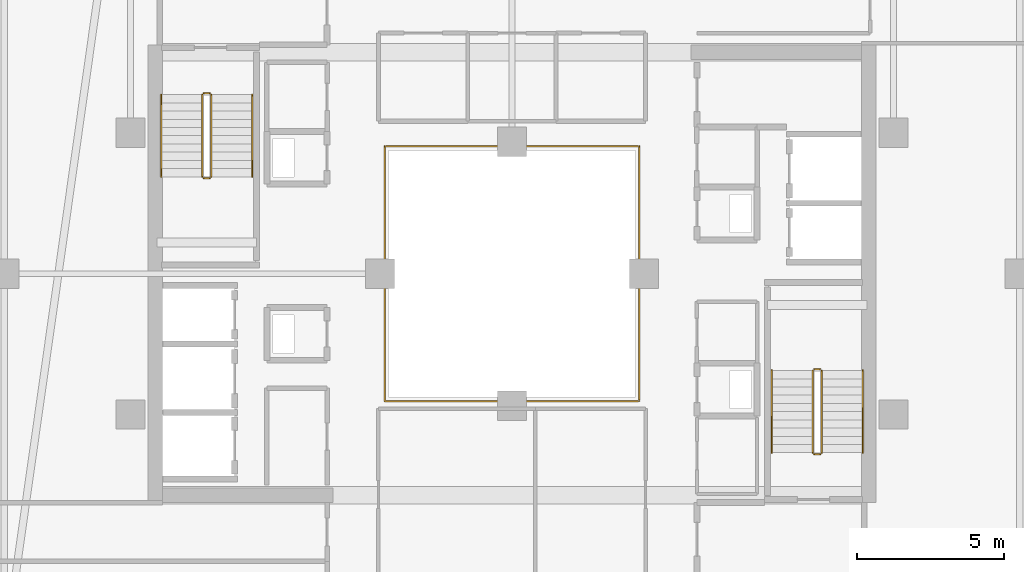
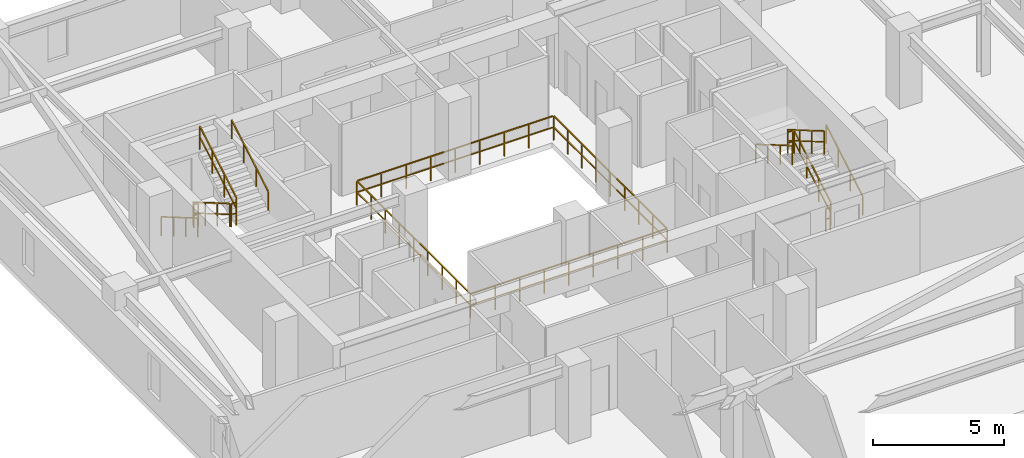
# One storey, part 31 of 32: 13 railings.
"""IFC4 building model written with IfcOpenShell, lengths in metres."""

from ifc_helpers import new_model, si_unit, direction, frame, origin, origin_2d, place, context, subcontext, project, spatial, rectangle, extrude, material, type_object, element, save


model = new_model("IFC4")

# Units and contexts
model_context = context("Model", 3, precision=1e-05, world=origin(), true_north=direction((0.0, 1.0)))
body_context = subcontext(model_context, "Body", "Model", "MODEL_VIEW")
ifc_project = project(units=[si_unit("LENGTHUNIT", "METRE"), si_unit("AREAUNIT", "SQUARE_METRE"), si_unit("VOLUMEUNIT", "CUBIC_METRE"), si_unit("PLANEANGLEUNIT", "RADIAN"), si_unit("MASSUNIT", "GRAM", prefix="KILO")], contexts=[model_context])

# Site, building, storey
site_placement = place(None, origin())
site = spatial("IfcSite", under=ifc_project, at=site_placement, CompositionType="ELEMENT")
building_placement = place(site_placement, origin())
building = spatial("IfcBuilding", under=site, at=building_placement, Name="Thornwick Lancets Civic Towers", CompositionType="ELEMENT")
storey_placement = place(building_placement, frame((0.0, 0.0, 247.5)))
storey = spatial("IfcBuildingStorey", under=building, at=storey_placement, Name="L66", CompositionType="ELEMENT", Elevation=247.5)

# Railings
ifc_material_1 = material(Name="Laminated glass and bronze steel S355", Category="steel")
railing_type_1 = type_object("IfcRailingType", Name="RAIL_ATRIUM_GUARD", PredefinedType="BALUSTRADE", material=ifc_material_1)
railing_1_placement = place(storey_placement, frame((84.159912109375, 22.659912109375, 0.0)))
element("IfcRailing", 1, at=railing_1_placement, inside=storey, type_object=railing_type_1, Name="L66 Tower B Central Atrium Guard Balustrade", PredefinedType="BALUSTRADE", context=body_context, shape_type="SweptSolid", body=[
    extrude(rectangle(XDim=0.048095703125, YDim=0.048095703125, at=origin_2d()), frame((0.0, 0.0, 1.1259765625), z_axis=(1.0, 0.0, 0.0), x_axis=(0.0, 1.0, 0.0)), (0.0, 0.0, 1.0), 8.64892578125),
    extrude(rectangle(XDim=0.0419921875, YDim=0.0419921875, at=origin_2d()), frame((0.03759765625, 0.0, 0.597900390625), z_axis=(1.0, 0.0, 0.0), x_axis=(0.0, 1.0, 0.0)), (0.0, 0.0, 1.0), 1.010009765625),
    extrude(rectangle(XDim=0.0419921875, YDim=0.0419921875, at=origin_2d()), frame((1.12255859375, 0.0, 0.597900390625), z_axis=(1.0, 0.0, 0.0), x_axis=(0.0, 1.0, 0.0)), (0.0, 0.0, 1.0), 1.010009765625),
    extrude(rectangle(XDim=0.0419921875, YDim=0.0419921875, at=origin_2d()), frame((2.20751953125, 0.0, 0.597900390625), z_axis=(1.0, 0.0, 0.0), x_axis=(0.0, 1.0, 0.0)), (0.0, 0.0, 1.0), 1.010009765625),
    extrude(rectangle(XDim=0.0419921875, YDim=0.0419921875, at=origin_2d()), frame((3.29248046875, 0.0, 0.597900390625), z_axis=(1.0, 0.0, 0.0), x_axis=(0.0, 1.0, 0.0)), (0.0, 0.0, 1.0), 1.010009765625),
    extrude(rectangle(XDim=0.0419921875, YDim=0.0419921875, at=origin_2d()), frame((4.377685546875, 0.0, 0.597900390625), z_axis=(1.0, 0.0, 0.0), x_axis=(0.0, 1.0, 0.0)), (0.0, 0.0, 1.0), 1.010009765625),
    extrude(rectangle(XDim=0.0419921875, YDim=0.0419921875, at=origin_2d()), frame((5.462646484375, 0.0, 0.597900390625), z_axis=(1.0, 0.0, 0.0), x_axis=(0.0, 1.0, 0.0)), (0.0, 0.0, 1.0), 1.010009765625),
    extrude(rectangle(XDim=0.0419921875, YDim=0.0419921875, at=origin_2d()), frame((6.547607421875, 0.0, 0.597900390625), z_axis=(1.0, 0.0, 0.0), x_axis=(0.0, 1.0, 0.0)), (0.0, 0.0, 1.0), 1.010009765625),
    extrude(rectangle(XDim=0.0419921875, YDim=0.0419921875, at=origin_2d()), frame((7.632568359375, 0.0, 0.597900390625), z_axis=(1.0, 0.0, 0.0), x_axis=(0.0, 1.0, 0.0)), (0.0, 0.0, 1.0), 1.010009765625),
    extrude(rectangle(XDim=0.048095703125, YDim=0.048095703125, at=origin_2d()), frame((8.68017578125, 0.03125, 1.1259765625), z_axis=(0.0, 1.0, 0.0), x_axis=(-1.0, 0.0, 0.0)), (0.0, 0.0, 1.0), 8.61767578125),
    extrude(rectangle(XDim=0.0419921875, YDim=0.0419921875, at=origin_2d()), frame((8.68017578125, 0.03759765625, 0.597900390625), z_axis=(0.0, 1.0, 0.0), x_axis=(-1.0, 0.0, 0.0)), (0.0, 0.0, 1.0), 1.010009765625),
    extrude(rectangle(XDim=0.0419921875, YDim=0.0419921875, at=origin_2d()), frame((8.68017578125, 1.12255859375, 0.597900390625), z_axis=(0.0, 1.0, 0.0), x_axis=(-1.0, 0.0, 0.0)), (0.0, 0.0, 1.0), 1.010009765625),
    extrude(rectangle(XDim=0.0419921875, YDim=0.0419921875, at=origin_2d()), frame((8.68017578125, 2.20751953125, 0.597900390625), z_axis=(0.0, 1.0, 0.0), x_axis=(-1.0, 0.0, 0.0)), (0.0, 0.0, 1.0), 1.010009765625),
    extrude(rectangle(XDim=0.0419921875, YDim=0.0419921875, at=origin_2d()), frame((8.68017578125, 3.29248046875, 0.597900390625), z_axis=(0.0, 1.0, 0.0), x_axis=(-1.0, 0.0, 0.0)), (0.0, 0.0, 1.0), 1.010009765625),
    extrude(rectangle(XDim=0.0419921875, YDim=0.0419921875, at=origin_2d()), frame((8.68017578125, 4.377685546875, 0.597900390625), z_axis=(0.0, 1.0, 0.0), x_axis=(-1.0, 0.0, 0.0)), (0.0, 0.0, 1.0), 1.010009765625),
    extrude(rectangle(XDim=0.0419921875, YDim=0.0419921875, at=origin_2d()), frame((8.68017578125, 5.462646484375, 0.597900390625), z_axis=(0.0, 1.0, 0.0), x_axis=(-1.0, 0.0, 0.0)), (0.0, 0.0, 1.0), 1.010009765625),
    extrude(rectangle(XDim=0.0419921875, YDim=0.0419921875, at=origin_2d()), frame((8.68017578125, 6.547607421875, 0.597900390625), z_axis=(0.0, 1.0, 0.0), x_axis=(-1.0, 0.0, 0.0)), (0.0, 0.0, 1.0), 1.010009765625),
    extrude(rectangle(XDim=0.0419921875, YDim=0.0419921875, at=origin_2d()), frame((8.68017578125, 7.632568359375, 0.597900390625), z_axis=(0.0, 1.0, 0.0), x_axis=(-1.0, 0.0, 0.0)), (0.0, 0.0, 1.0), 1.010009765625),
    extrude(rectangle(XDim=0.048095703125, YDim=0.048095703125, at=origin_2d()), frame((8.64892578125, 8.68017578125, 1.1259765625), z_axis=(-1.0, 0.0, 0.0), x_axis=(0.0, -1.0, 0.0)), (0.0, 0.0, 1.0), 8.61767578125),
    extrude(rectangle(XDim=0.0419921875, YDim=0.0419921875, at=origin_2d()), frame((8.642578125, 8.68017578125, 0.597900390625), z_axis=(-1.0, 0.0, 0.0), x_axis=(0.0, -1.0, 0.0)), (0.0, 0.0, 1.0), 1.010009765625),
    extrude(rectangle(XDim=0.0419921875, YDim=0.0419921875, at=origin_2d()), frame((7.5576171875, 8.68017578125, 0.597900390625), z_axis=(-1.0, 0.0, 0.0), x_axis=(0.0, -1.0, 0.0)), (0.0, 0.0, 1.0), 1.010009765625),
    extrude(rectangle(XDim=0.0419921875, YDim=0.0419921875, at=origin_2d()), frame((6.47265625, 8.68017578125, 0.597900390625), z_axis=(-1.0, 0.0, 0.0), x_axis=(0.0, -1.0, 0.0)), (0.0, 0.0, 1.0), 1.010009765625),
    extrude(rectangle(XDim=0.0419921875, YDim=0.0419921875, at=origin_2d()), frame((5.3876953125, 8.68017578125, 0.597900390625), z_axis=(-1.0, 0.0, 0.0), x_axis=(0.0, -1.0, 0.0)), (0.0, 0.0, 1.0), 1.010009765625),
    extrude(rectangle(XDim=0.0419921875, YDim=0.0419921875, at=origin_2d()), frame((4.302490234375, 8.68017578125, 0.597900390625), z_axis=(-1.0, 0.0, 0.0), x_axis=(0.0, -1.0, 0.0)), (0.0, 0.0, 1.0), 1.010009765625),
    extrude(rectangle(XDim=0.0419921875, YDim=0.0419921875, at=origin_2d()), frame((3.217529296875, 8.68017578125, 0.597900390625), z_axis=(-1.0, 0.0, 0.0), x_axis=(0.0, -1.0, 0.0)), (0.0, 0.0, 1.0), 1.010009765625),
    extrude(rectangle(XDim=0.0419921875, YDim=0.0419921875, at=origin_2d()), frame((2.132568359375, 8.68017578125, 0.597900390625), z_axis=(-1.0, 0.0, 0.0), x_axis=(0.0, -1.0, 0.0)), (0.0, 0.0, 1.0), 1.010009765625),
    extrude(rectangle(XDim=0.0419921875, YDim=0.0419921875, at=origin_2d()), frame((1.047607421875, 8.68017578125, 0.597900390625), z_axis=(-1.0, 0.0, 0.0), x_axis=(0.0, -1.0, 0.0)), (0.0, 0.0, 1.0), 1.010009765625),
    extrude(rectangle(XDim=0.048095703125, YDim=0.048095703125, at=origin_2d()), frame((0.0, 8.64892578125, 1.1259765625), z_axis=(0.0, -1.0, 0.0), x_axis=(1.0, 0.0, 0.0)), (0.0, 0.0, 1.0), 8.64892578125),
    extrude(rectangle(XDim=0.0419921875, YDim=0.0419921875, at=origin_2d()), frame((0.0, 8.642578125, 0.597900390625), z_axis=(0.0, -1.0, 0.0), x_axis=(1.0, 0.0, 0.0)), (0.0, 0.0, 1.0), 1.010009765625),
    extrude(rectangle(XDim=0.0419921875, YDim=0.0419921875, at=origin_2d()), frame((0.0, 7.5576171875, 0.597900390625), z_axis=(0.0, -1.0, 0.0), x_axis=(1.0, 0.0, 0.0)), (0.0, 0.0, 1.0), 1.010009765625),
    extrude(rectangle(XDim=0.0419921875, YDim=0.0419921875, at=origin_2d()), frame((0.0, 6.47265625, 0.597900390625), z_axis=(0.0, -1.0, 0.0), x_axis=(1.0, 0.0, 0.0)), (0.0, 0.0, 1.0), 1.010009765625),
    extrude(rectangle(XDim=0.0419921875, YDim=0.0419921875, at=origin_2d()), frame((0.0, 5.3876953125, 0.597900390625), z_axis=(0.0, -1.0, 0.0), x_axis=(1.0, 0.0, 0.0)), (0.0, 0.0, 1.0), 1.010009765625),
    extrude(rectangle(XDim=0.0419921875, YDim=0.0419921875, at=origin_2d()), frame((0.0, 4.302490234375, 0.597900390625), z_axis=(0.0, -1.0, 0.0), x_axis=(1.0, 0.0, 0.0)), (0.0, 0.0, 1.0), 1.010009765625),
    extrude(rectangle(XDim=0.0419921875, YDim=0.0419921875, at=origin_2d()), frame((0.0, 3.217529296875, 0.597900390625), z_axis=(0.0, -1.0, 0.0), x_axis=(1.0, 0.0, 0.0)), (0.0, 0.0, 1.0), 1.010009765625),
    extrude(rectangle(XDim=0.0419921875, YDim=0.0419921875, at=origin_2d()), frame((0.0, 2.132568359375, 0.597900390625), z_axis=(0.0, -1.0, 0.0), x_axis=(1.0, 0.0, 0.0)), (0.0, 0.0, 1.0), 1.010009765625),
    extrude(rectangle(XDim=0.0419921875, YDim=0.0419921875, at=origin_2d()), frame((0.0, 1.047607421875, 0.597900390625), z_axis=(0.0, -1.0, 0.0), x_axis=(1.0, 0.0, 0.0)), (0.0, 0.0, 1.0), 1.010009765625),
    extrude(rectangle(XDim=0.0419921875, YDim=0.0419921875, at=origin_2d()), origin(), (0.0, 0.0, 1.0), 1.095703125),
    extrude(rectangle(XDim=0.0419921875, YDim=0.0419921875, at=origin_2d()), frame((1.0849609375, 0.0, 0.0)), (0.0, 0.0, 1.0), 1.095703125),
    extrude(rectangle(XDim=0.0419921875, YDim=0.0419921875, at=origin_2d()), frame((2.169921875, 0.0, 0.0)), (0.0, 0.0, 1.0), 1.095703125),
    extrude(rectangle(XDim=0.0419921875, YDim=0.0419921875, at=origin_2d()), frame((3.255126953125, 0.0, 0.0)), (0.0, 0.0, 1.0), 1.095703125),
    extrude(rectangle(XDim=0.0419921875, YDim=0.0419921875, at=origin_2d()), frame((4.340087890625, 0.0, 0.0)), (0.0, 0.0, 1.0), 1.095703125),
    extrude(rectangle(XDim=0.0419921875, YDim=0.0419921875, at=origin_2d()), frame((5.425048828125, 0.0, 0.0)), (0.0, 0.0, 1.0), 1.095703125),
    extrude(rectangle(XDim=0.0419921875, YDim=0.0419921875, at=origin_2d()), frame((6.51025390625, 0.0, 0.0)), (0.0, 0.0, 1.0), 1.095703125),
    extrude(rectangle(XDim=0.0419921875, YDim=0.0419921875, at=origin_2d()), frame((7.59521484375, 0.0, 0.0)), (0.0, 0.0, 1.0), 1.095703125),
    extrude(rectangle(XDim=0.0419921875, YDim=0.0419921875, at=origin_2d()), frame((8.68017578125, 0.0, 0.0)), (0.0, 0.0, 1.0), 1.095703125),
    extrude(rectangle(XDim=0.0419921875, YDim=0.0419921875, at=origin_2d()), frame((8.68017578125, 1.0849609375, 0.0)), (0.0, 0.0, 1.0), 1.095703125),
    extrude(rectangle(XDim=0.0419921875, YDim=0.0419921875, at=origin_2d()), frame((8.68017578125, 2.169921875, 0.0)), (0.0, 0.0, 1.0), 1.095703125),
    extrude(rectangle(XDim=0.0419921875, YDim=0.0419921875, at=origin_2d()), frame((8.68017578125, 3.255126953125, 0.0)), (0.0, 0.0, 1.0), 1.095703125),
    extrude(rectangle(XDim=0.0419921875, YDim=0.0419921875, at=origin_2d()), frame((8.68017578125, 4.340087890625, 0.0)), (0.0, 0.0, 1.0), 1.095703125),
    extrude(rectangle(XDim=0.0419921875, YDim=0.0419921875, at=origin_2d()), frame((8.68017578125, 5.425048828125, 0.0)), (0.0, 0.0, 1.0), 1.095703125),
    extrude(rectangle(XDim=0.0419921875, YDim=0.0419921875, at=origin_2d()), frame((8.68017578125, 6.51025390625, 0.0)), (0.0, 0.0, 1.0), 1.095703125),
    extrude(rectangle(XDim=0.0419921875, YDim=0.0419921875, at=origin_2d()), frame((8.68017578125, 7.59521484375, 0.0)), (0.0, 0.0, 1.0), 1.095703125),
    extrude(rectangle(XDim=0.0419921875, YDim=0.0419921875, at=origin_2d()), frame((8.68017578125, 8.68017578125, 0.0)), (0.0, 0.0, 1.0), 1.095703125),
    extrude(rectangle(XDim=0.0419921875, YDim=0.0419921875, at=origin_2d()), frame((7.59521484375, 8.68017578125, 0.0)), (0.0, 0.0, 1.0), 1.095703125),
    extrude(rectangle(XDim=0.0419921875, YDim=0.0419921875, at=origin_2d()), frame((6.51025390625, 8.68017578125, 0.0)), (0.0, 0.0, 1.0), 1.095703125),
    extrude(rectangle(XDim=0.0419921875, YDim=0.0419921875, at=origin_2d()), frame((5.425048828125, 8.68017578125, 0.0)), (0.0, 0.0, 1.0), 1.095703125),
    extrude(rectangle(XDim=0.0419921875, YDim=0.0419921875, at=origin_2d()), frame((4.340087890625, 8.68017578125, 0.0)), (0.0, 0.0, 1.0), 1.095703125),
    extrude(rectangle(XDim=0.0419921875, YDim=0.0419921875, at=origin_2d()), frame((3.255126953125, 8.68017578125, 0.0)), (0.0, 0.0, 1.0), 1.095703125),
    extrude(rectangle(XDim=0.0419921875, YDim=0.0419921875, at=origin_2d()), frame((2.169921875, 8.68017578125, 0.0)), (0.0, 0.0, 1.0), 1.095703125),
    extrude(rectangle(XDim=0.0419921875, YDim=0.0419921875, at=origin_2d()), frame((1.0849609375, 8.68017578125, 0.0)), (0.0, 0.0, 1.0), 1.095703125),
    extrude(rectangle(XDim=0.0419921875, YDim=0.0419921875, at=origin_2d()), frame((0.0, 8.68017578125, 0.0)), (0.0, 0.0, 1.0), 1.095703125),
    extrude(rectangle(XDim=0.0419921875, YDim=0.0419921875, at=origin_2d()), frame((0.0, 7.59521484375, 0.0)), (0.0, 0.0, 1.0), 1.095703125),
    extrude(rectangle(XDim=0.0419921875, YDim=0.0419921875, at=origin_2d()), frame((0.0, 6.51025390625, 0.0)), (0.0, 0.0, 1.0), 1.095703125),
    extrude(rectangle(XDim=0.0419921875, YDim=0.0419921875, at=origin_2d()), frame((0.0, 5.425048828125, 0.0)), (0.0, 0.0, 1.0), 1.095703125),
    extrude(rectangle(XDim=0.0419921875, YDim=0.0419921875, at=origin_2d()), frame((0.0, 4.340087890625, 0.0)), (0.0, 0.0, 1.0), 1.095703125),
    extrude(rectangle(XDim=0.0419921875, YDim=0.0419921875, at=origin_2d()), frame((0.0, 3.255126953125, 0.0)), (0.0, 0.0, 1.0), 1.095703125),
    extrude(rectangle(XDim=0.0419921875, YDim=0.0419921875, at=origin_2d()), frame((0.0, 2.169921875, 0.0)), (0.0, 0.0, 1.0), 1.095703125),
    extrude(rectangle(XDim=0.0419921875, YDim=0.0419921875, at=origin_2d()), frame((0.0, 1.0849609375, 0.0)), (0.0, 0.0, 1.0), 1.095703125),
])
ifc_material_2 = material(Name="Brushed stainless steel S355", Category="steel")
railing_type_2 = type_object("IfcRailingType", Name="RAIL_HANDRAIL", PredefinedType="HANDRAIL", material=ifc_material_2)
railing_2_placement = place(storey_placement, frame((100.449951171875, 20.89990234375, 0.16357421875)))
element("IfcRailing", 2, at=railing_2_placement, inside=storey, type_object=railing_type_2, Name="L66 ST-B1 stair handrail 1", PredefinedType="HANDRAIL", context=body_context, shape_type="SweptSolid", body=[
    extrude(rectangle(XDim=0.048095703125, YDim=0.048095703125, at=origin_2d()), frame((0.0, 0.0, 0.8857421875), z_axis=(0.0, 0.863360870873, 0.504586966384), x_axis=(-1.0, 0.0, 0.0)), (0.0, 0.0, 1.0), 3.2431640625),
    extrude(rectangle(XDim=0.0419921875, YDim=0.0419921875, at=origin_2d()), origin(), (0.0, 0.0, 1.0), 0.855712890625),
    extrude(rectangle(XDim=0.0419921875, YDim=0.0419921875, at=origin_2d()), frame((0.0, 0.933349609375, 0.54541015625)), (0.0, 0.0, 1.0), 0.855712890625),
    extrude(rectangle(XDim=0.0419921875, YDim=0.0419921875, at=origin_2d()), frame((0.0, 1.86669921875, 1.091064453125)), (0.0, 0.0, 1.0), 0.855712890625),
    extrude(rectangle(XDim=0.0419921875, YDim=0.0419921875, at=origin_2d()), frame((0.0, 2.800048828125, 1.636474609375)), (0.0, 0.0, 1.0), 0.855712890625),
])
for number, where, name in (
    (3, (97.35009765625, 23.699951171875, 1.963623046875), "L66 ST-B1 stair handrail 2"),
    (4, (76.550048828125, 33.10009765625, 0.16357421875), "L66 ST-B2 stair handrail 1"),
):
    element("IfcRailing", number, at=place(storey_placement, frame(where)), inside=storey, type_object=railing_type_2, Name=name, PredefinedType="HANDRAIL", context=body_context, shape_type="SweptSolid", body=[
        extrude(rectangle(XDim=0.048095703125, YDim=0.048095703125, at=origin_2d()), frame((0.0, 0.0, 0.8857421875), z_axis=(0.0, -0.863360870873, 0.504586966384), x_axis=(1.0, 0.0, 0.0)), (0.0, 0.0, 1.0), 3.2431640625),
        extrude(rectangle(XDim=0.0419921875, YDim=0.0419921875, at=origin_2d()), origin(), (0.0, 0.0, 1.0), 0.855712890625),
        extrude(rectangle(XDim=0.0419921875, YDim=0.0419921875, at=origin_2d()), frame((0.0, -0.933349609375, 0.54541015625)), (0.0, 0.0, 1.0), 0.855712890625),
        extrude(rectangle(XDim=0.0419921875, YDim=0.0419921875, at=origin_2d()), frame((0.0, -1.86669921875, 1.091064453125)), (0.0, 0.0, 1.0), 0.855712890625),
        extrude(rectangle(XDim=0.0419921875, YDim=0.0419921875, at=origin_2d()), frame((0.0, -2.800048828125, 1.636474609375)), (0.0, 0.0, 1.0), 0.855712890625),
    ])
railing_3_placement = place(storey_placement, frame((79.64990234375, 30.300048828125, 1.963623046875)))
element("IfcRailing", 5, at=railing_3_placement, inside=storey, type_object=railing_type_2, Name="L66 ST-B2 stair handrail 2", PredefinedType="HANDRAIL", context=body_context, shape_type="SweptSolid", body=[
    extrude(rectangle(XDim=0.048095703125, YDim=0.048095703125, at=origin_2d()), frame((0.0, 0.0, 0.8857421875), z_axis=(0.0, 0.863360870873, 0.504586966384), x_axis=(-1.0, 0.0, 0.0)), (0.0, 0.0, 1.0), 3.2431640625),
    extrude(rectangle(XDim=0.0419921875, YDim=0.0419921875, at=origin_2d()), origin(), (0.0, 0.0, 1.0), 0.855712890625),
    extrude(rectangle(XDim=0.0419921875, YDim=0.0419921875, at=origin_2d()), frame((0.0, 0.933349609375, 0.54541015625)), (0.0, 0.0, 1.0), 0.855712890625),
    extrude(rectangle(XDim=0.0419921875, YDim=0.0419921875, at=origin_2d()), frame((0.0, 1.86669921875, 1.091064453125)), (0.0, 0.0, 1.0), 0.855712890625),
    extrude(rectangle(XDim=0.0419921875, YDim=0.0419921875, at=origin_2d()), frame((0.0, 2.800048828125, 1.636474609375)), (0.0, 0.0, 1.0), 0.855712890625),
])
ifc_material_3 = material(Name="Steel S355JR", Category="steel")
railing_type_3 = type_object("IfcRailingType", Name="RAIL_STAIR_GUARD", PredefinedType="GUARDRAIL", material=ifc_material_3)
railing_4_placement = place(storey_placement, frame((99.050048828125, 20.89990234375, 0.16357421875)))
element("IfcRailing", 6, at=railing_4_placement, inside=storey, type_object=railing_type_3, Name="L66 ST-B1 stair guard 1", PredefinedType="GUARDRAIL", context=body_context, shape_type="SweptSolid", body=[
    extrude(rectangle(XDim=0.048095703125, YDim=0.048095703125, at=origin_2d()), frame((0.0, 0.0, 1.076171875), z_axis=(0.0, 0.863360870873, 0.504586966384), x_axis=(-1.0, 0.0, 0.0)), (0.0, 0.0, 1.0), 3.2431640625),
    extrude(rectangle(XDim=0.0419921875, YDim=0.0419921875, at=origin_2d()), frame((0.0, 0.032470703125, 0.591064453125), z_axis=(0.0, 0.863360870873, 0.504586966384), x_axis=(-1.0, 0.0, 0.0)), (0.0, 0.0, 1.0), 1.006103515625),
    extrude(rectangle(XDim=0.0419921875, YDim=0.0419921875, at=origin_2d()), frame((0.0, 0.9658203125, 1.136474609375), z_axis=(0.0, 0.863360870873, 0.504586966384), x_axis=(-1.0, 0.0, 0.0)), (0.0, 0.0, 1.0), 1.006103515625),
    extrude(rectangle(XDim=0.0419921875, YDim=0.0419921875, at=origin_2d()), frame((0.0, 1.899169921875, 1.681884765625), z_axis=(0.0, 0.863360870873, 0.504586966384), x_axis=(-1.0, 0.0, 0.0)), (0.0, 0.0, 1.0), 1.006103515625),
    extrude(rectangle(XDim=0.0419921875, YDim=0.0419921875, at=origin_2d()), origin(), (0.0, 0.0, 1.0), 1.0458984375),
    extrude(rectangle(XDim=0.0419921875, YDim=0.0419921875, at=origin_2d()), frame((0.0, 0.933349609375, 0.54541015625)), (0.0, 0.0, 1.0), 1.0458984375),
    extrude(rectangle(XDim=0.0419921875, YDim=0.0419921875, at=origin_2d()), frame((0.0, 1.86669921875, 1.091064453125)), (0.0, 0.0, 1.0), 1.0458984375),
    extrude(rectangle(XDim=0.0419921875, YDim=0.0419921875, at=origin_2d()), frame((0.0, 2.800048828125, 1.636474609375)), (0.0, 0.0, 1.0), 1.0458984375),
])
railing_5_placement = place(storey_placement, frame((99.0, 23.75, 1.800048828125)))
element("IfcRailing", 7, at=railing_5_placement, inside=storey, type_object=railing_type_3, Name="L66 ST-B1 stair guard 2", PredefinedType="GUARDRAIL", context=body_context, shape_type="SweptSolid", body=[
    extrude(rectangle(XDim=0.048095703125, YDim=0.048095703125, at=origin_2d()), frame((0.0, 0.0, 1.076171875), z_axis=(-1.0, 0.0, 0.0), x_axis=(0.0, -1.0, 0.0)), (0.0, 0.0, 1.0), 0.199951171875),
    extrude(rectangle(XDim=0.0419921875, YDim=0.0419921875, at=origin_2d()), frame((-0.03759765625, 0.0, 0.572021484375), z_axis=(-1.0, 0.0, 0.0), x_axis=(0.0, -1.0, 0.0)), (0.0, 0.0, 1.0), 0.125),
    extrude(rectangle(XDim=0.0419921875, YDim=0.0419921875, at=origin_2d()), origin(), (0.0, 0.0, 1.0), 1.0458984375),
    extrude(rectangle(XDim=0.0419921875, YDim=0.0419921875, at=origin_2d()), frame((-0.199951171875, 0.0, 0.0)), (0.0, 0.0, 1.0), 1.0458984375),
])
railing_6_placement = place(storey_placement, frame((98.75, 23.699951171875, 1.963623046875)))
element("IfcRailing", 8, at=railing_6_placement, inside=storey, type_object=railing_type_3, Name="L66 ST-B1 stair guard 3", PredefinedType="GUARDRAIL", context=body_context, shape_type="SweptSolid", body=[
    extrude(rectangle(XDim=0.048095703125, YDim=0.048095703125, at=origin_2d()), frame((0.0, 0.0, 1.076171875), z_axis=(0.0, -0.863360870873, 0.504586966384), x_axis=(1.0, 0.0, 0.0)), (0.0, 0.0, 1.0), 3.2431640625),
    extrude(rectangle(XDim=0.0419921875, YDim=0.0419921875, at=origin_2d()), frame((0.0, -0.032470703125, 0.591064453125), z_axis=(0.0, -0.863360870873, 0.504586966384), x_axis=(1.0, 0.0, 0.0)), (0.0, 0.0, 1.0), 1.006103515625),
    extrude(rectangle(XDim=0.0419921875, YDim=0.0419921875, at=origin_2d()), frame((0.0, -0.9658203125, 1.136474609375), z_axis=(0.0, -0.863360870873, 0.504586966384), x_axis=(1.0, 0.0, 0.0)), (0.0, 0.0, 1.0), 1.006103515625),
    extrude(rectangle(XDim=0.0419921875, YDim=0.0419921875, at=origin_2d()), frame((0.0, -1.899169921875, 1.681884765625), z_axis=(0.0, -0.863360870873, 0.504586966384), x_axis=(1.0, 0.0, 0.0)), (0.0, 0.0, 1.0), 1.006103515625),
    extrude(rectangle(XDim=0.0419921875, YDim=0.0419921875, at=origin_2d()), origin(), (0.0, 0.0, 1.0), 1.0458984375),
    extrude(rectangle(XDim=0.0419921875, YDim=0.0419921875, at=origin_2d()), frame((0.0, -0.933349609375, 0.54541015625)), (0.0, 0.0, 1.0), 1.0458984375),
    extrude(rectangle(XDim=0.0419921875, YDim=0.0419921875, at=origin_2d()), frame((0.0, -1.86669921875, 1.091064453125)), (0.0, 0.0, 1.0), 1.0458984375),
    extrude(rectangle(XDim=0.0419921875, YDim=0.0419921875, at=origin_2d()), frame((0.0, -2.800048828125, 1.636474609375)), (0.0, 0.0, 1.0), 1.0458984375),
])
railing_7_placement = place(storey_placement, frame((99.0, 20.85009765625, 0.0)))
element("IfcRailing", 9, at=railing_7_placement, inside=storey, type_object=railing_type_3, Name="L66 ST-B1 stair guard 4", PredefinedType="GUARDRAIL", context=body_context, shape_type="SweptSolid", body=[
    extrude(rectangle(XDim=0.048095703125, YDim=0.048095703125, at=origin_2d()), frame((0.0, 0.0, 1.076171875), z_axis=(-1.0, 0.0, 0.0), x_axis=(0.0, -1.0, 0.0)), (0.0, 0.0, 1.0), 0.199951171875),
    extrude(rectangle(XDim=0.0419921875, YDim=0.0419921875, at=origin_2d()), frame((-0.03759765625, 0.0, 0.572021484375), z_axis=(-1.0, 0.0, 0.0), x_axis=(0.0, -1.0, 0.0)), (0.0, 0.0, 1.0), 0.125),
    extrude(rectangle(XDim=0.0419921875, YDim=0.0419921875, at=origin_2d()), origin(), (0.0, 0.0, 1.0), 1.0458984375),
    extrude(rectangle(XDim=0.0419921875, YDim=0.0419921875, at=origin_2d()), frame((-0.199951171875, 0.0, 0.0)), (0.0, 0.0, 1.0), 1.0458984375),
])
railing_8_placement = place(storey_placement, frame((77.949951171875, 33.10009765625, 0.16357421875)))
element("IfcRailing", 10, at=railing_8_placement, inside=storey, type_object=railing_type_3, Name="L66 ST-B2 stair guard 1", PredefinedType="GUARDRAIL", context=body_context, shape_type="SweptSolid", body=[
    extrude(rectangle(XDim=0.048095703125, YDim=0.048095703125, at=origin_2d()), frame((0.0, 0.0, 1.076171875), z_axis=(0.0, -0.863360870873, 0.504586966384), x_axis=(1.0, 0.0, 0.0)), (0.0, 0.0, 1.0), 3.2431640625),
    extrude(rectangle(XDim=0.0419921875, YDim=0.0419921875, at=origin_2d()), frame((0.0, -0.032470703125, 0.591064453125), z_axis=(0.0, -0.863360870873, 0.504586966384), x_axis=(1.0, 0.0, 0.0)), (0.0, 0.0, 1.0), 1.006103515625),
    extrude(rectangle(XDim=0.0419921875, YDim=0.0419921875, at=origin_2d()), frame((0.0, -0.9658203125, 1.136474609375), z_axis=(0.0, -0.863360870873, 0.504586966384), x_axis=(1.0, 0.0, 0.0)), (0.0, 0.0, 1.0), 1.006103515625),
    extrude(rectangle(XDim=0.0419921875, YDim=0.0419921875, at=origin_2d()), frame((0.0, -1.899169921875, 1.681884765625), z_axis=(0.0, -0.863360870873, 0.504586966384), x_axis=(1.0, 0.0, 0.0)), (0.0, 0.0, 1.0), 1.006103515625),
    extrude(rectangle(XDim=0.0419921875, YDim=0.0419921875, at=origin_2d()), origin(), (0.0, 0.0, 1.0), 1.0458984375),
    extrude(rectangle(XDim=0.0419921875, YDim=0.0419921875, at=origin_2d()), frame((0.0, -0.933349609375, 0.54541015625)), (0.0, 0.0, 1.0), 1.0458984375),
    extrude(rectangle(XDim=0.0419921875, YDim=0.0419921875, at=origin_2d()), frame((0.0, -1.86669921875, 1.091064453125)), (0.0, 0.0, 1.0), 1.0458984375),
    extrude(rectangle(XDim=0.0419921875, YDim=0.0419921875, at=origin_2d()), frame((0.0, -2.800048828125, 1.636474609375)), (0.0, 0.0, 1.0), 1.0458984375),
])
railing_9_placement = place(storey_placement, frame((78.0, 30.25, 1.800048828125)))
element("IfcRailing", 11, at=railing_9_placement, inside=storey, type_object=railing_type_3, Name="L66 ST-B2 stair guard 2", PredefinedType="GUARDRAIL", context=body_context, shape_type="SweptSolid", body=[
    extrude(rectangle(XDim=0.048095703125, YDim=0.048095703125, at=origin_2d()), frame((0.0, 0.0, 1.076171875), z_axis=(1.0, 0.0, 0.0), x_axis=(0.0, 1.0, 0.0)), (0.0, 0.0, 1.0), 0.199951171875),
    extrude(rectangle(XDim=0.0419921875, YDim=0.0419921875, at=origin_2d()), frame((0.03759765625, 0.0, 0.572021484375), z_axis=(1.0, 0.0, 0.0), x_axis=(0.0, 1.0, 0.0)), (0.0, 0.0, 1.0), 0.125),
    extrude(rectangle(XDim=0.0419921875, YDim=0.0419921875, at=origin_2d()), origin(), (0.0, 0.0, 1.0), 1.0458984375),
    extrude(rectangle(XDim=0.0419921875, YDim=0.0419921875, at=origin_2d()), frame((0.199951171875, 0.0, 0.0)), (0.0, 0.0, 1.0), 1.0458984375),
])
railing_10_placement = place(storey_placement, frame((78.25, 30.300048828125, 1.963623046875)))
element("IfcRailing", 12, at=railing_10_placement, inside=storey, type_object=railing_type_3, Name="L66 ST-B2 stair guard 3", PredefinedType="GUARDRAIL", context=body_context, shape_type="SweptSolid", body=[
    extrude(rectangle(XDim=0.048095703125, YDim=0.048095703125, at=origin_2d()), frame((0.0, 0.0, 1.076171875), z_axis=(0.0, 0.863360870873, 0.504586966384), x_axis=(-1.0, 0.0, 0.0)), (0.0, 0.0, 1.0), 3.2431640625),
    extrude(rectangle(XDim=0.0419921875, YDim=0.0419921875, at=origin_2d()), frame((0.0, 0.032470703125, 0.591064453125), z_axis=(0.0, 0.863360870873, 0.504586966384), x_axis=(-1.0, 0.0, 0.0)), (0.0, 0.0, 1.0), 1.006103515625),
    extrude(rectangle(XDim=0.0419921875, YDim=0.0419921875, at=origin_2d()), frame((0.0, 0.9658203125, 1.136474609375), z_axis=(0.0, 0.863360870873, 0.504586966384), x_axis=(-1.0, 0.0, 0.0)), (0.0, 0.0, 1.0), 1.006103515625),
    extrude(rectangle(XDim=0.0419921875, YDim=0.0419921875, at=origin_2d()), frame((0.0, 1.899169921875, 1.681884765625), z_axis=(0.0, 0.863360870873, 0.504586966384), x_axis=(-1.0, 0.0, 0.0)), (0.0, 0.0, 1.0), 1.006103515625),
    extrude(rectangle(XDim=0.0419921875, YDim=0.0419921875, at=origin_2d()), origin(), (0.0, 0.0, 1.0), 1.0458984375),
    extrude(rectangle(XDim=0.0419921875, YDim=0.0419921875, at=origin_2d()), frame((0.0, 0.933349609375, 0.54541015625)), (0.0, 0.0, 1.0), 1.0458984375),
    extrude(rectangle(XDim=0.0419921875, YDim=0.0419921875, at=origin_2d()), frame((0.0, 1.86669921875, 1.091064453125)), (0.0, 0.0, 1.0), 1.0458984375),
    extrude(rectangle(XDim=0.0419921875, YDim=0.0419921875, at=origin_2d()), frame((0.0, 2.800048828125, 1.636474609375)), (0.0, 0.0, 1.0), 1.0458984375),
])
railing_11_placement = place(storey_placement, frame((78.0, 33.14990234375, 0.0)))
element("IfcRailing", 13, at=railing_11_placement, inside=storey, type_object=railing_type_3, Name="L66 ST-B2 stair guard 4", PredefinedType="GUARDRAIL", context=body_context, shape_type="SweptSolid", body=[
    extrude(rectangle(XDim=0.048095703125, YDim=0.048095703125, at=origin_2d()), frame((0.0, 0.0, 1.076171875), z_axis=(1.0, 0.0, 0.0), x_axis=(0.0, 1.0, 0.0)), (0.0, 0.0, 1.0), 0.199951171875),
    extrude(rectangle(XDim=0.0419921875, YDim=0.0419921875, at=origin_2d()), frame((0.03759765625, 0.0, 0.572021484375), z_axis=(1.0, 0.0, 0.0), x_axis=(0.0, 1.0, 0.0)), (0.0, 0.0, 1.0), 0.125),
    extrude(rectangle(XDim=0.0419921875, YDim=0.0419921875, at=origin_2d()), origin(), (0.0, 0.0, 1.0), 1.0458984375),
    extrude(rectangle(XDim=0.0419921875, YDim=0.0419921875, at=origin_2d()), frame((0.199951171875, 0.0, 0.0)), (0.0, 0.0, 1.0), 1.0458984375),
])

save(model, "model.ifc")
